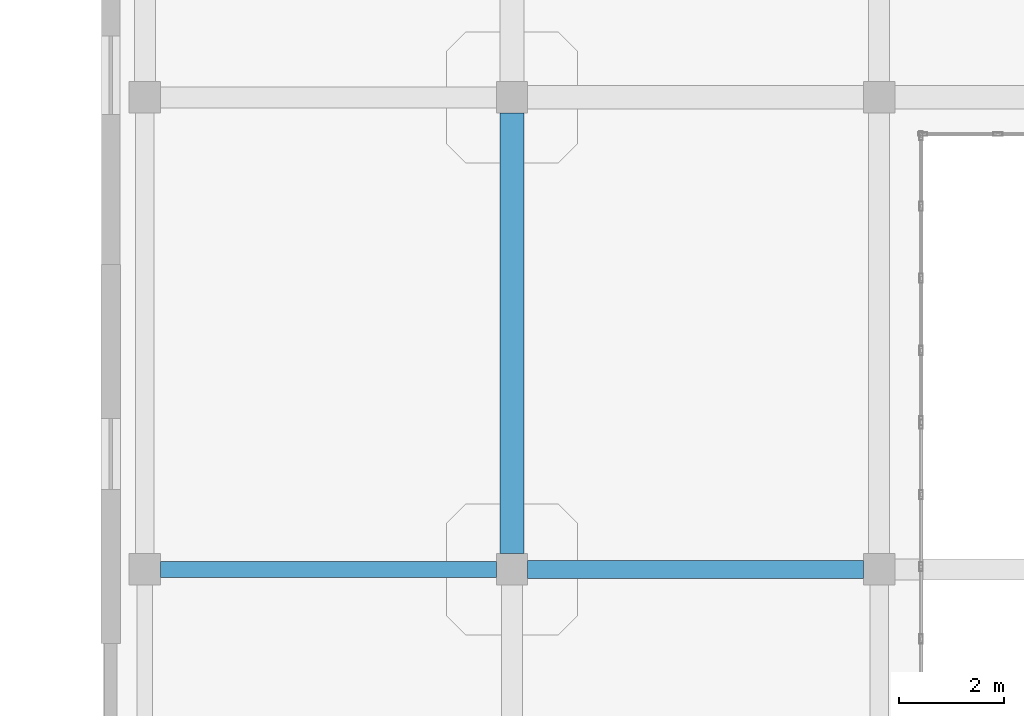
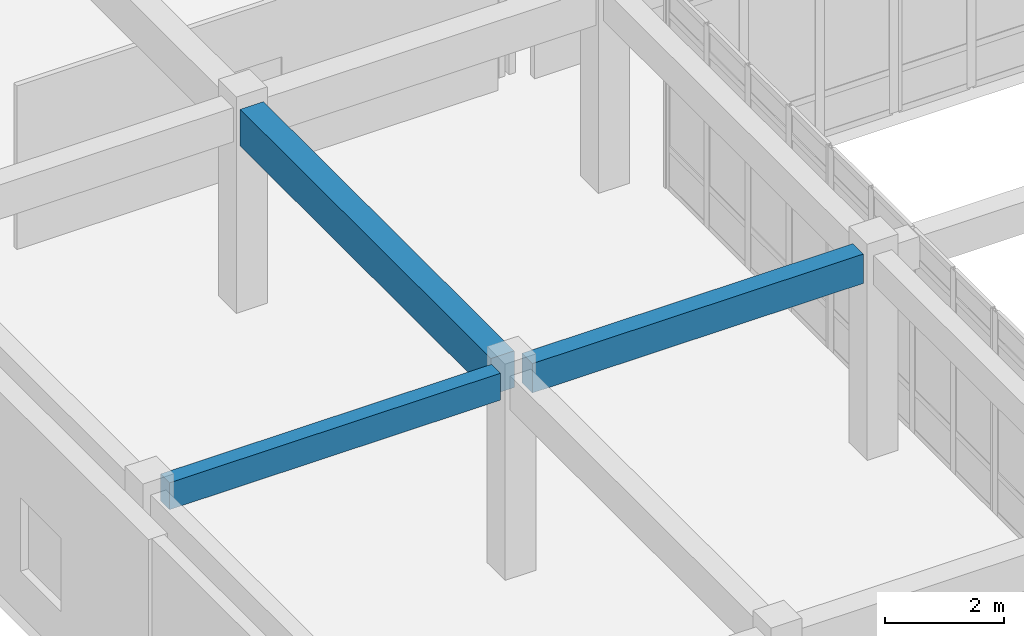
# One storey, part 71 of 142: 3 beams.
"""IFC4 building model written with IfcOpenShell, lengths in metres."""

from ifc_helpers import new_model, si_unit, direction, frame, origin, origin_2d, place, context, subcontext, project, spatial, rectangle, extrude, material, material_profile, profile_set, type_object, element, save


model = new_model("IFC4")

# Units and contexts
model_context = context("Model", 3, precision=1e-05, world=origin(), true_north=direction((0.0, 1.0)))
body_context = subcontext(model_context, "Body", "Model", "MODEL_VIEW")
ifc_project = project(units=[si_unit("LENGTHUNIT", "METRE"), si_unit("AREAUNIT", "SQUARE_METRE"), si_unit("VOLUMEUNIT", "CUBIC_METRE"), si_unit("PLANEANGLEUNIT", "RADIAN"), si_unit("MASSUNIT", "GRAM", prefix="KILO")], contexts=[model_context])

# Site, building, storey
site_placement = place(None, origin())
site = spatial("IfcSite", under=ifc_project, at=site_placement, CompositionType="ELEMENT")
building_placement = place(site_placement, origin())
building = spatial("IfcBuilding", under=site, at=building_placement, Name="Valcora Specialist Clinic", CompositionType="ELEMENT")
storey_placement = place(building_placement, frame((0.0, 0.0, 5.10009765625)))
storey = spatial("IfcBuildingStorey", under=building, at=storey_placement, Name="L01", CompositionType="ELEMENT", Elevation=5.10009765625)

# Beams
ifc_material = material(Name="Concrete C40/50", Category="concrete")
ifc_material_profile_1 = material_profile(ifc_material, rectangle(XDim=0.300048828125, YDim=0.550048828125, at=origin_2d()), Name="RC-BM-300X550")
ifc_profile_set_1 = profile_set([ifc_material_profile_1], Name="Concrete C40/50")
beam_type_1 = type_object("IfcBeamType", Name="TY-BM-RC300X550", PredefinedType="BEAM", material=ifc_profile_set_1)
beam_1_placement = place(storey_placement, frame((62.300048828125, 90.199951171875, 3.869873046875), z_axis=(1.0, 0.0, 0.0), x_axis=(0.0, 1.0, 0.0)))
element("IfcBeam", 1, at=beam_1_placement, inside=storey, type_object=beam_type_1, Name="Beam BM-L01-0631", PredefinedType="BEAM", context=body_context, shape_type="SweptSolid", body=[
    extrude(rectangle(XDim=0.300048828125, YDim=0.550048828125, at=origin_2d()), origin(), (0.0, 0.0, 1.0), 6.39990234375),
])
ifc_material_profile_2 = material_profile(ifc_material, rectangle(XDim=0.35009765625, YDim=0.60009765625, at=origin_2d()), Name="RC-BM-350X600")
ifc_profile_set_2 = profile_set([ifc_material_profile_2], Name="Concrete C40/50")
beam_type_2 = type_object("IfcBeamType", Name="TY-BM-RC350X600", PredefinedType="BEAM", material=ifc_profile_set_2)
beam_2_placement = place(storey_placement, frame((69.300048828125, 90.199951171875, 3.844970703125), z_axis=(1.0, 0.0, 0.0), x_axis=(0.0, 1.0, 0.0)))
element("IfcBeam", 2, at=beam_2_placement, inside=storey, type_object=beam_type_2, Name="Beam BM-L01-0632", PredefinedType="BEAM", context=body_context, shape_type="SweptSolid", body=[
    extrude(rectangle(XDim=0.35009765625, YDim=0.60009765625, at=origin_2d()), origin(), (0.0, 0.0, 1.0), 6.39990234375),
])
ifc_material_profile_3 = material_profile(ifc_material, rectangle(XDim=0.449951171875, YDim=0.75, at=origin_2d()), Name="RC-BM-450X750")
ifc_profile_set_3 = profile_set([ifc_material_profile_3], Name="Concrete C40/50")
beam_type_3 = type_object("IfcBeamType", Name="TY-BM-RC450X750", PredefinedType="BEAM", material=ifc_profile_set_3)
beam_3_placement = place(storey_placement, frame((69.0, 90.5, 3.77001953125), z_axis=(0.0, 1.0, 0.0), x_axis=(-1.0, 0.0, 0.0)))
element("IfcBeam", 3, at=beam_3_placement, inside=storey, type_object=beam_type_3, Name="Beam BM-L01-0663", PredefinedType="BEAM", context=body_context, shape_type="SweptSolid", body=[
    extrude(rectangle(XDim=0.449951171875, YDim=0.75, at=origin_2d()), origin(), (0.0, 0.0, 1.0), 8.39990234375),
])

save(model, "model.ifc")
